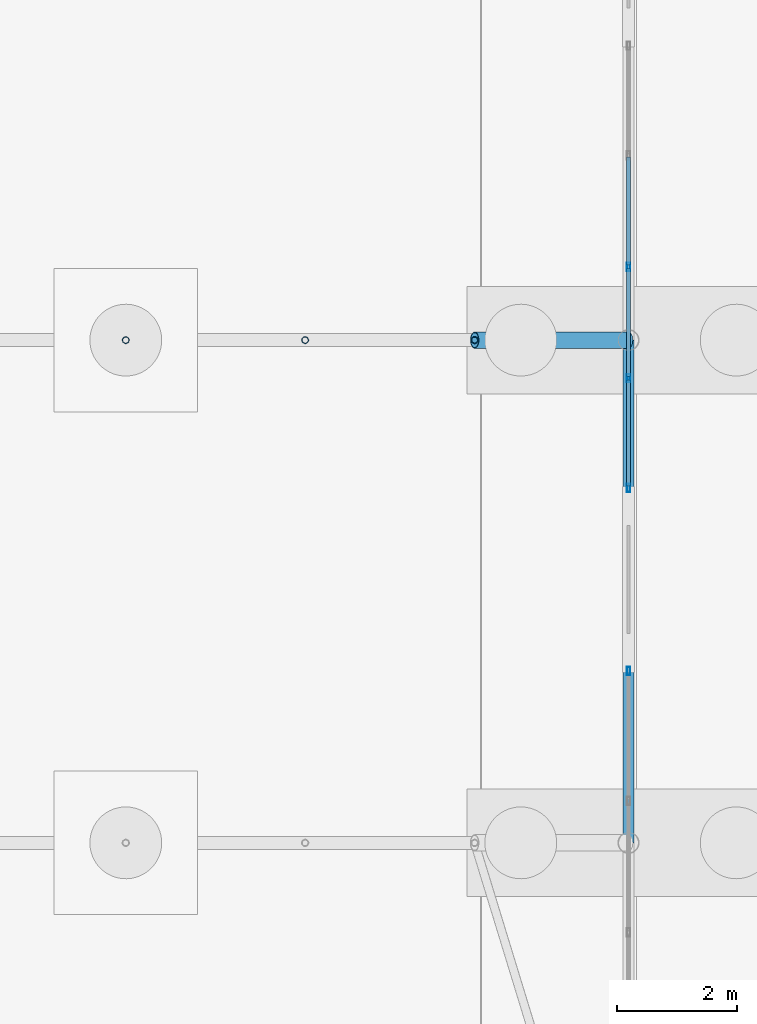
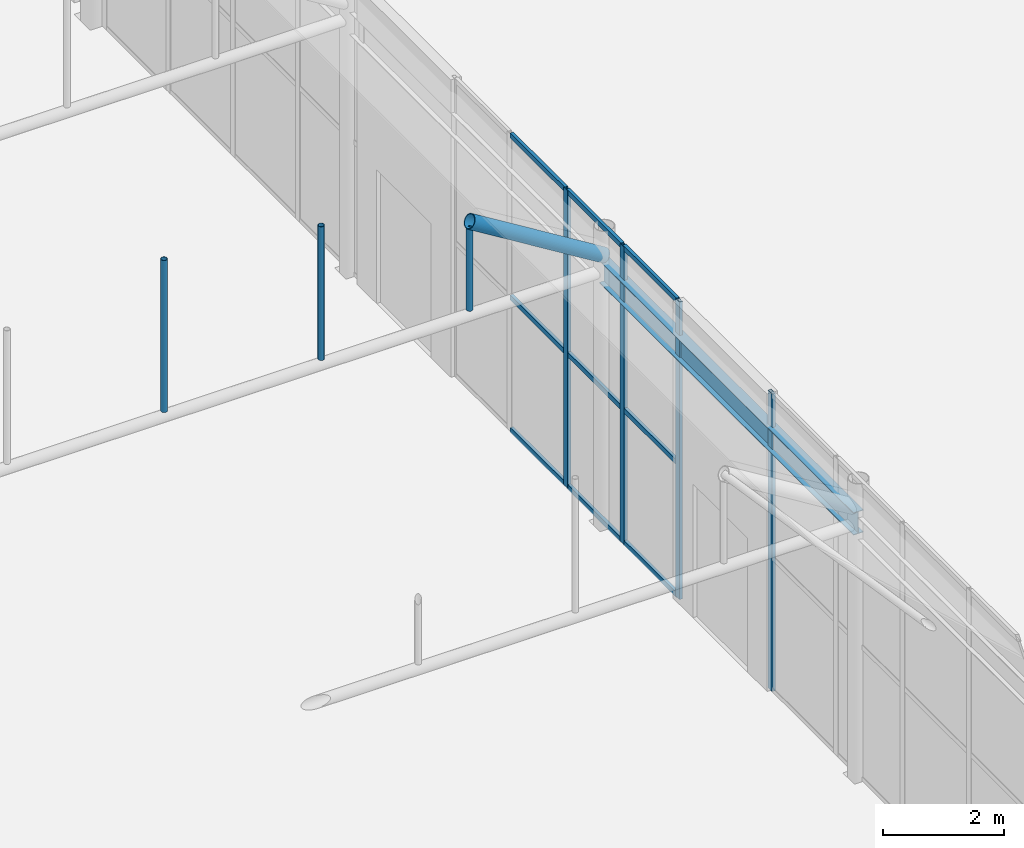
# One storey, part 92 of 212: 17 members, 1 beam, 2 elements without a shape of their own.
"""IFC4 building model written with IfcOpenShell, lengths in metres."""

from ifc_helpers import new_model, si_unit, direction, frame, origin, origin_2d, place, context, subcontext, project, spatial, hollow_rectangle, hollow_circle, i_section, extrude, material, material_profile, profile_set, type_object, element, aggregate, save


model = new_model("IFC4")

# Units and contexts
model_context = context("Model", 3, precision=1e-05, world=origin(), true_north=direction((0.0, 1.0)))
body_context = subcontext(model_context, "Body", "Model", "MODEL_VIEW")
ifc_project = project(units=[si_unit("LENGTHUNIT", "METRE"), si_unit("AREAUNIT", "SQUARE_METRE"), si_unit("VOLUMEUNIT", "CUBIC_METRE"), si_unit("PLANEANGLEUNIT", "RADIAN"), si_unit("MASSUNIT", "GRAM", prefix="KILO")], contexts=[model_context])

# Site, building, storey
site_placement = place(None, origin())
site = spatial("IfcSite", under=ifc_project, at=site_placement, CompositionType="ELEMENT")
building_placement = place(site_placement, origin())
building = spatial("IfcBuilding", under=site, at=building_placement, Name="Catenary Quay Ferry Terminal", CompositionType="ELEMENT")
storey_placement = place(building_placement, origin())
storey = spatial("IfcBuildingStorey", under=building, at=storey_placement, Name="L00", CompositionType="ELEMENT", Elevation=0.0)

# Beam
ifc_material_1 = material(Name="Steel S355", Category="steel")
ifc_material_profile_1 = material_profile(ifc_material_1, i_section(OverallWidth=0.18994140625, OverallDepth=0.453369140625, WebThickness=0.008544921875, FlangeThickness=0.0126953125, at=origin_2d()), Name="UB 457x191x67")
ifc_profile_set_1 = profile_set([ifc_material_profile_1], Name="Steel S355")
beam_type = type_object("IfcBeamType", Name="B1 UB 457x191x67", PredefinedType="BEAM", material=ifc_profile_set_1)
beam_placement = place(storey_placement, frame((25.199951171875, 75.60009765625, 5.10009765625), z_axis=(0.0, 1.0, 0.0), x_axis=(-1.0, 0.0, 0.0)))
element("IfcBeam", 1, at=beam_placement, inside=storey, type_object=beam_type, Name="Eaves beam B-FD2", PredefinedType="BEAM", context=body_context, shape_type="SweptSolid", body=[
    extrude(i_section(OverallWidth=0.18994140625, OverallDepth=0.453369140625, WebThickness=0.008544921875, FlangeThickness=0.0126953125, at=origin_2d()), origin(), (0.0, 0.0, 1.0), 8.39990234375),
])

# Members
ifc_material_2 = material(Name="Steel S355", Category="steel")
ifc_material_profile_2 = material_profile(ifc_material_2, hollow_circle(Radius=0.05712890625, WallThickness=0.00634765625, at=origin_2d()), Name="CHS 114.3x6.3")
ifc_profile_set_2 = profile_set([ifc_material_profile_2], Name="Steel S355")
member_type_1 = type_object("IfcMemberType", Name="HG1 CHS 114.3x6.3", PredefinedType="POST", material=ifc_profile_set_2)
member_1_placement = place(storey_placement, frame((16.800048828125, 84.0, 5.205078125), z_axis=(0.0, 0.0, 1.0), x_axis=(1.0, 0.0, 0.0)))
element("IfcMember", 2, at=member_1_placement, inside=storey, type_object=member_type_1, Name="Hanger FC-03-03", PredefinedType="POST", context=body_context, shape_type="SweptSolid", body=[
    extrude(hollow_circle(Radius=0.05712890625, WallThickness=0.00634765625, at=origin_2d()), origin(), (0.0, 0.0, 1.0), 3.06494140625),
])
member_2_placement = place(storey_placement, frame((19.797119140625, 84.0, 5.205078125), z_axis=(0.0, 0.0, 1.0), x_axis=(1.0, 0.0, 0.0)))
element("IfcMember", 3, at=member_2_placement, inside=storey, type_object=member_type_1, Name="Hanger FC-03-04", PredefinedType="POST", context=body_context, shape_type="SweptSolid", body=[
    extrude(hollow_circle(Radius=0.05712890625, WallThickness=0.00634765625, at=origin_2d()), origin(), (0.0, 0.0, 1.0), 2.69580078125),
])
member_3_placement = place(storey_placement, frame((22.62890625, 84.0, 5.205078125), z_axis=(0.0, 0.0, 1.0), x_axis=(1.0, 0.0, 0.0)))
element("IfcMember", 4, at=member_3_placement, inside=storey, type_object=member_type_1, Name="Hanger FC-03-05", PredefinedType="POST", context=body_context, shape_type="SweptSolid", body=[
    extrude(hollow_circle(Radius=0.05712890625, WallThickness=0.00634765625, at=origin_2d()), origin(), (0.0, 0.0, 1.0), 1.64892578125),
])

# Curtain wall, member
ifc_material_3 = material(Name="Aluminium and glass", Category="aluminium")
curtain_wall_type = type_object("IfcCurtainWallType", Name="CWG", PredefinedType="NOTDEFINED", material=ifc_material_3)
curtain_wall_1_placement = place(storey_placement, origin())
curtain_wall_1 = element("IfcCurtainWall", 5, at=curtain_wall_1_placement, inside=storey, type_object=curtain_wall_type, Name="Gable arrivals hall curtain wall CW1", PredefinedType="NOTDEFINED")
ifc_material_4 = material(Name="Aluminium", Category="aluminium")
ifc_material_profile_3 = material_profile(ifc_material_4, hollow_rectangle(XDim=0.06005859375, YDim=0.139892578125, WallThickness=0.006103515625, at=origin_2d()), Name="MU2")
ifc_profile_set_3 = profile_set([ifc_material_profile_3], Name="Aluminium")
member_type_2 = type_object("IfcMemberType", Name="MU2", PredefinedType="MULLION", material=ifc_profile_set_3)
member_4_placement = place(storey_placement, frame((25.199951171875, 78.469970703125, 0.0), z_axis=(0.0, 0.0, 1.0), x_axis=(-1.0, 0.0, 0.0)))
member_4 = element("IfcMember", 6, at=member_4_placement, type_object=member_type_2, Name="CW1 mullion 6", PredefinedType="MULLION", context=body_context, shape_type="SweptSolid", body=[
    extrude(hollow_rectangle(XDim=0.06005859375, YDim=0.139892578125, WallThickness=0.006103515625, at=origin_2d()), origin(), (0.0, 0.0, 1.0), 6.0),
])
aggregate(curtain_wall_1, [member_4])

# Curtain wall, members
curtain_wall_2_placement = place(storey_placement, origin())
curtain_wall_2 = element("IfcCurtainWall", 7, at=curtain_wall_2_placement, inside=storey, type_object=curtain_wall_type, Name="Gable arrivals hall curtain wall CW2", PredefinedType="NOTDEFINED")
member_5_placement = place(storey_placement, frame((25.199951171875, 81.530029296875, 0.0), z_axis=(0.0, 0.0, 1.0), x_axis=(-1.0, 0.0, 0.0)))
member_5 = element("IfcMember", 8, at=member_5_placement, type_object=member_type_2, Name="CW2 mullion 1", PredefinedType="MULLION", context=body_context, shape_type="SweptSolid", body=[
    extrude(hollow_rectangle(XDim=0.06005859375, YDim=0.139892578125, WallThickness=0.006103515625, at=origin_2d()), origin(), (0.0, 0.0, 1.0), 6.0),
])
member_6_placement = place(storey_placement, frame((25.199951171875, 83.362548828125, 0.0), z_axis=(0.0, 0.0, 1.0), x_axis=(-1.0, 0.0, 0.0)))
member_6 = element("IfcMember", 9, at=member_6_placement, type_object=member_type_2, Name="CW2 mullion 2", PredefinedType="MULLION", context=body_context, shape_type="SweptSolid", body=[
    extrude(hollow_rectangle(XDim=0.06005859375, YDim=0.139892578125, WallThickness=0.006103515625, at=origin_2d()), origin(), (0.0, 0.0, 1.0), 6.0),
])
member_7_placement = place(storey_placement, frame((25.199951171875, 85.22509765625, 0.0), z_axis=(0.0, 0.0, 1.0), x_axis=(-1.0, 0.0, 0.0)))
member_7 = element("IfcMember", 10, at=member_7_placement, type_object=member_type_2, Name="CW2 mullion 3", PredefinedType="MULLION", context=body_context, shape_type="SweptSolid", body=[
    extrude(hollow_rectangle(XDim=0.06005859375, YDim=0.139892578125, WallThickness=0.006103515625, at=origin_2d()), origin(), (0.0, 0.0, 1.0), 6.0),
])
ifc_material_5 = material(Name="Aluminium", Category="aluminium")
ifc_material_profile_4 = material_profile(ifc_material_5, hollow_rectangle(XDim=0.06005859375, YDim=0.10009765625, WallThickness=0.0048828125, at=origin_2d()), Name="TR2")
ifc_profile_set_4 = profile_set([ifc_material_profile_4], Name="Aluminium")
member_type_3 = type_object("IfcMemberType", Name="TR2", PredefinedType="USERDEFINED", material=ifc_profile_set_4)
member_8_placement = place(storey_placement, frame((25.199951171875, 81.56005859375, 0.030029296875), z_axis=(0.0, 1.0, 0.0), x_axis=(-1.0, 0.0, 0.0)))
member_8 = element("IfcMember", 11, at=member_8_placement, type_object=member_type_3, Name="CW2 transom 1.1", ObjectType="TRANSOM", PredefinedType="USERDEFINED", context=body_context, shape_type="SweptSolid", body=[
    extrude(hollow_rectangle(XDim=0.06005859375, YDim=0.10009765625, WallThickness=0.0048828125, at=origin_2d()), origin(), (0.0, 0.0, 1.0), 1.7724609375),
])
member_9_placement = place(storey_placement, frame((25.199951171875, 81.56005859375, 2.699951171875), z_axis=(0.0, 1.0, 0.0), x_axis=(-1.0, 0.0, 0.0)))
member_9 = element("IfcMember", 12, at=member_9_placement, type_object=member_type_3, Name="CW2 transom 1.2", ObjectType="TRANSOM", PredefinedType="USERDEFINED", context=body_context, shape_type="SweptSolid", body=[
    extrude(hollow_rectangle(XDim=0.06005859375, YDim=0.10009765625, WallThickness=0.0048828125, at=origin_2d()), origin(), (0.0, 0.0, 1.0), 1.7724609375),
])
member_10_placement = place(storey_placement, frame((25.199951171875, 81.56005859375, 5.969970703125), z_axis=(0.0, 1.0, 0.0), x_axis=(-1.0, 0.0, 0.0)))
member_10 = element("IfcMember", 13, at=member_10_placement, type_object=member_type_3, Name="CW2 transom 1.3", ObjectType="TRANSOM", PredefinedType="USERDEFINED", context=body_context, shape_type="SweptSolid", body=[
    extrude(hollow_rectangle(XDim=0.06005859375, YDim=0.10009765625, WallThickness=0.0048828125, at=origin_2d()), origin(), (0.0, 0.0, 1.0), 1.7724609375),
])
member_11_placement = place(storey_placement, frame((25.199951171875, 83.392578125, 0.030029296875), z_axis=(0.0, 1.0, 0.0), x_axis=(-1.0, 0.0, 0.0)))
member_11 = element("IfcMember", 14, at=member_11_placement, type_object=member_type_3, Name="CW2 transom 2.1", ObjectType="TRANSOM", PredefinedType="USERDEFINED", context=body_context, shape_type="SweptSolid", body=[
    extrude(hollow_rectangle(XDim=0.06005859375, YDim=0.10009765625, WallThickness=0.0048828125, at=origin_2d()), origin(), (0.0, 0.0, 1.0), 1.802490234375),
])
member_12_placement = place(storey_placement, frame((25.199951171875, 83.392578125, 2.699951171875), z_axis=(0.0, 1.0, 0.0), x_axis=(-1.0, 0.0, 0.0)))
member_12 = element("IfcMember", 15, at=member_12_placement, type_object=member_type_3, Name="CW2 transom 2.2", ObjectType="TRANSOM", PredefinedType="USERDEFINED", context=body_context, shape_type="SweptSolid", body=[
    extrude(hollow_rectangle(XDim=0.06005859375, YDim=0.10009765625, WallThickness=0.0048828125, at=origin_2d()), origin(), (0.0, 0.0, 1.0), 1.802490234375),
])
member_13_placement = place(storey_placement, frame((25.199951171875, 83.392578125, 5.969970703125), z_axis=(0.0, 1.0, 0.0), x_axis=(-1.0, 0.0, 0.0)))
member_13 = element("IfcMember", 16, at=member_13_placement, type_object=member_type_3, Name="CW2 transom 2.3", ObjectType="TRANSOM", PredefinedType="USERDEFINED", context=body_context, shape_type="SweptSolid", body=[
    extrude(hollow_rectangle(XDim=0.06005859375, YDim=0.10009765625, WallThickness=0.0048828125, at=origin_2d()), origin(), (0.0, 0.0, 1.0), 1.802490234375),
])
member_14_placement = place(storey_placement, frame((25.199951171875, 85.2548828125, 0.030029296875), z_axis=(0.0, 1.0, 0.0), x_axis=(-1.0, 0.0, 0.0)))
member_14 = element("IfcMember", 17, at=member_14_placement, type_object=member_type_3, Name="CW2 transom 3.1", ObjectType="TRANSOM", PredefinedType="USERDEFINED", context=body_context, shape_type="SweptSolid", body=[
    extrude(hollow_rectangle(XDim=0.06005859375, YDim=0.10009765625, WallThickness=0.0048828125, at=origin_2d()), origin(), (0.0, 0.0, 1.0), 1.802734375),
])
member_15_placement = place(storey_placement, frame((25.199951171875, 85.2548828125, 2.699951171875), z_axis=(0.0, 1.0, 0.0), x_axis=(-1.0, 0.0, 0.0)))
member_15 = element("IfcMember", 18, at=member_15_placement, type_object=member_type_3, Name="CW2 transom 3.2", ObjectType="TRANSOM", PredefinedType="USERDEFINED", context=body_context, shape_type="SweptSolid", body=[
    extrude(hollow_rectangle(XDim=0.06005859375, YDim=0.10009765625, WallThickness=0.0048828125, at=origin_2d()), origin(), (0.0, 0.0, 1.0), 1.802734375),
])
member_16_placement = place(storey_placement, frame((25.199951171875, 85.2548828125, 5.969970703125), z_axis=(0.0, 1.0, 0.0), x_axis=(-1.0, 0.0, 0.0)))
member_16 = element("IfcMember", 19, at=member_16_placement, type_object=member_type_3, Name="CW2 transom 3.3", ObjectType="TRANSOM", PredefinedType="USERDEFINED", context=body_context, shape_type="SweptSolid", body=[
    extrude(hollow_rectangle(XDim=0.06005859375, YDim=0.10009765625, WallThickness=0.0048828125, at=origin_2d()), origin(), (0.0, 0.0, 1.0), 1.802734375),
])
aggregate(curtain_wall_2, [member_5, member_6, member_7, member_8, member_9, member_10, member_11, member_12, member_13, member_14, member_15, member_16])

# Member
ifc_material_6 = material(Name="Steel S355", Category="steel")
ifc_material_profile_5 = material_profile(ifc_material_6, hollow_circle(Radius=0.136474609375, WallThickness=0.012451171875, at=origin_2d()), Name="CHS 273x12.5")
ifc_profile_set_5 = profile_set([ifc_material_profile_5], Name="Steel S355")
member_type_4 = type_object("IfcMemberType", Name="VR2 CHS 273x12.5", PredefinedType="RAFTER", material=ifc_profile_set_5)
member_17_placement = place(storey_placement, frame((22.62890625, 84.0, 6.98388671875), z_axis=(0.851391726314, 0.0, -0.524530388408), x_axis=(0.0, 1.0, 0.0)))
element("IfcMember", 20, at=member_17_placement, inside=storey, type_object=member_type_4, Name="rib FC-03-06", PredefinedType="RAFTER", context=body_context, shape_type="SweptSolid", body=[
    extrude(hollow_circle(Radius=0.136474609375, WallThickness=0.012451171875, at=origin_2d()), origin(), (0.0, 0.0, 1.0), 3.019775390625),
])

save(model, "model.ifc")
